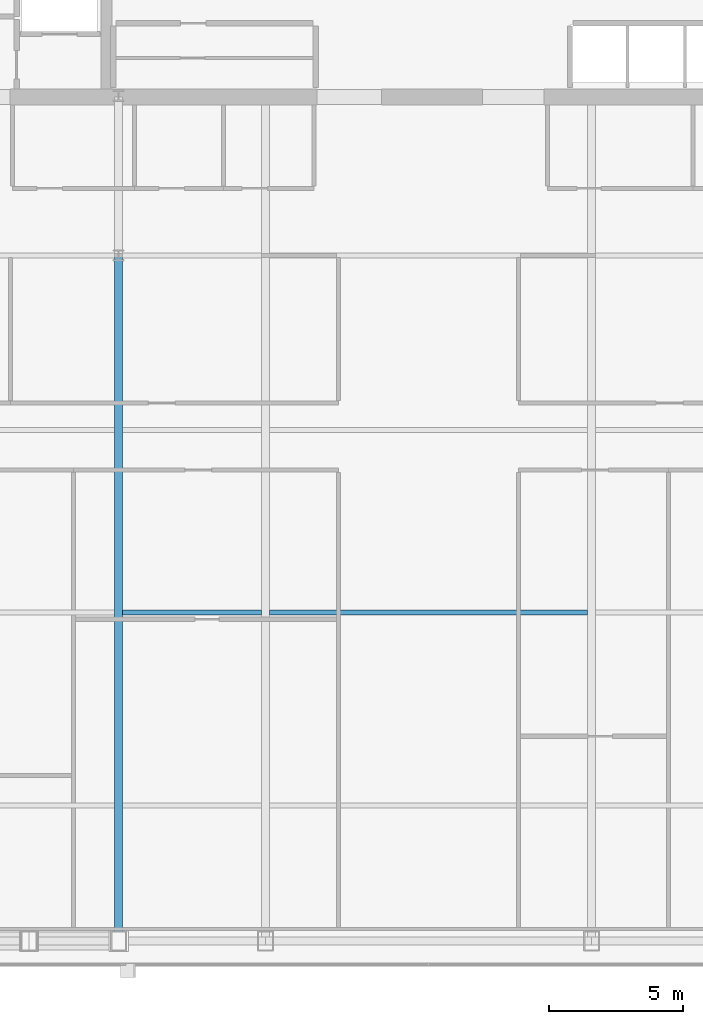
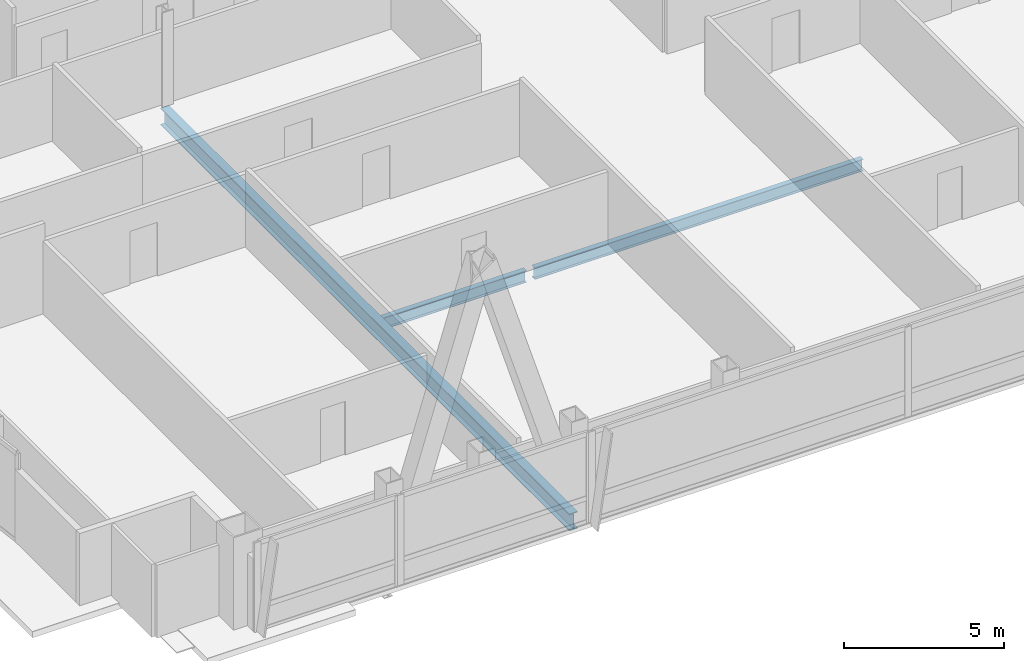
# One storey, part 9 of 30: 3 beams.
"""IFC4 building model written with IfcOpenShell, lengths in metres."""

from ifc_helpers import new_model, si_unit, direction, frame, origin, origin_2d, place, context, subcontext, project, spatial, i_section, extrude, material, material_profile, profile_set, type_object, element, save


model = new_model("IFC4")

# Units and contexts
model_context = context("Model", 3, precision=1e-05, world=origin(), true_north=direction((0.0, 1.0)))
body_context = subcontext(model_context, "Body", "Model", "MODEL_VIEW")
ifc_project = project(units=[si_unit("LENGTHUNIT", "METRE"), si_unit("AREAUNIT", "SQUARE_METRE"), si_unit("VOLUMEUNIT", "CUBIC_METRE"), si_unit("PLANEANGLEUNIT", "RADIAN"), si_unit("MASSUNIT", "GRAM", prefix="KILO")], contexts=[model_context])

# Site, building, storey
site_placement = place(None, origin())
site = spatial("IfcSite", under=ifc_project, at=site_placement, CompositionType="ELEMENT")
building_placement = place(site_placement, origin())
building = spatial("IfcBuilding", under=site, at=building_placement, Name="Khoronbel Lancet Exchange", CompositionType="ELEMENT")
storey_placement = place(building_placement, frame((0.0, 0.0, 239.0)))
storey = spatial("IfcBuildingStorey", under=building, at=storey_placement, Name="L61", CompositionType="ELEMENT", Elevation=239.0)

# Beams
ifc_material = material(Name="Steel S355", Category="steel")
ifc_material_profile_1 = material_profile(ifc_material, i_section(OverallWidth=0.300048828125, OverallDepth=0.64990234375, WebThickness=0.01611328125, FlangeThickness=0.031005859375, at=origin_2d()), Name="HEB 650")
ifc_profile_set_1 = profile_set([ifc_material_profile_1], Name="Steel S355")
beam_type_1 = type_object("IfcBeamType", Name="BM-BG4", PredefinedType="BEAM", material=ifc_profile_set_1)
beam_1_placement = place(storey_placement, frame((24.89990234375, 10.14990234375, -0.485107421875), z_axis=(0.0, 1.0, 0.0), x_axis=(-1.0, 0.0, 0.0)))
element("IfcBeam", 1, at=beam_1_placement, inside=storey, type_object=beam_type_1, Name="Level L61 south primary girder GS2", PredefinedType="BEAM", context=body_context, shape_type="SweptSolid", body=[
    extrude(i_section(OverallWidth=0.300048828125, OverallDepth=0.64990234375, WebThickness=0.01611328125, FlangeThickness=0.031005859375, at=origin_2d()), origin(), (0.0, 0.0, 1.0), 25.550048828125),
])
ifc_material_profile_2 = material_profile(ifc_material, i_section(OverallWidth=0.18994140625, OverallDepth=0.449951171875, WebThickness=0.009521484375, FlangeThickness=0.0146484375, at=origin_2d()), Name="IPE 450")
ifc_profile_set_2 = profile_set([ifc_material_profile_2], Name="Steel S355")
beam_type_2 = type_object("IfcBeamType", Name="BM-BJ4", PredefinedType="JOIST", material=ifc_profile_set_2)
beam_2_placement = place(storey_placement, frame((25.050048828125, 22.39990234375, -0.385009765625), z_axis=(1.0, 0.0, 0.0), x_axis=(0.0, 1.0, 0.0)))
element("IfcBeam", 2, at=beam_2_placement, inside=storey, type_object=beam_type_2, Name="Level L61 secondary composite joist J07", PredefinedType="JOIST", context=body_context, shape_type="SweptSolid", body=[
    extrude(i_section(OverallWidth=0.18994140625, OverallDepth=0.449951171875, WebThickness=0.009521484375, FlangeThickness=0.0146484375, at=origin_2d()), origin(), (0.0, 0.0, 1.0), 5.175048828125),
])
beam_3_placement = place(storey_placement, frame((30.52490234375, 22.39990234375, -0.385009765625), z_axis=(1.0, 0.0, 0.0), x_axis=(0.0, 1.0, 0.0)))
element("IfcBeam", 3, at=beam_3_placement, inside=storey, type_object=beam_type_2, Name="Level L61 secondary composite joist J08", PredefinedType="JOIST", context=body_context, shape_type="SweptSolid", body=[
    extrude(i_section(OverallWidth=0.18994140625, OverallDepth=0.449951171875, WebThickness=0.009521484375, FlangeThickness=0.0146484375, at=origin_2d()), origin(), (0.0, 0.0, 1.0), 11.85009765625),
])

save(model, "model.ifc")
